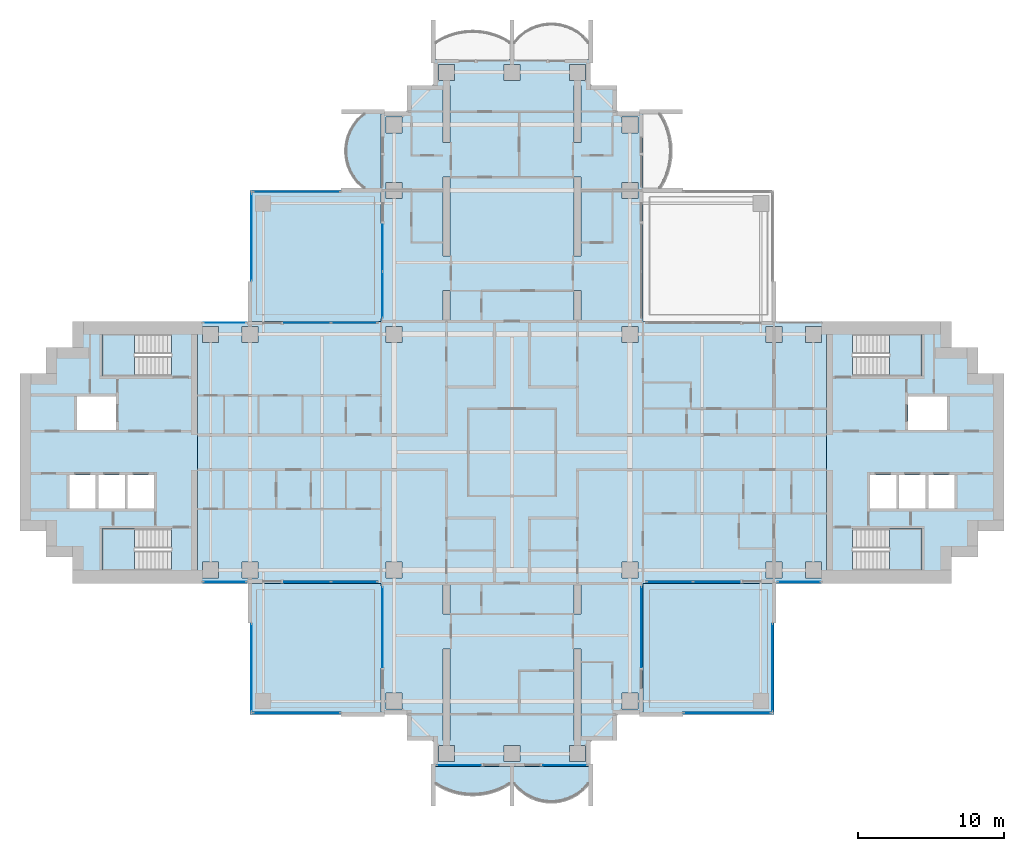
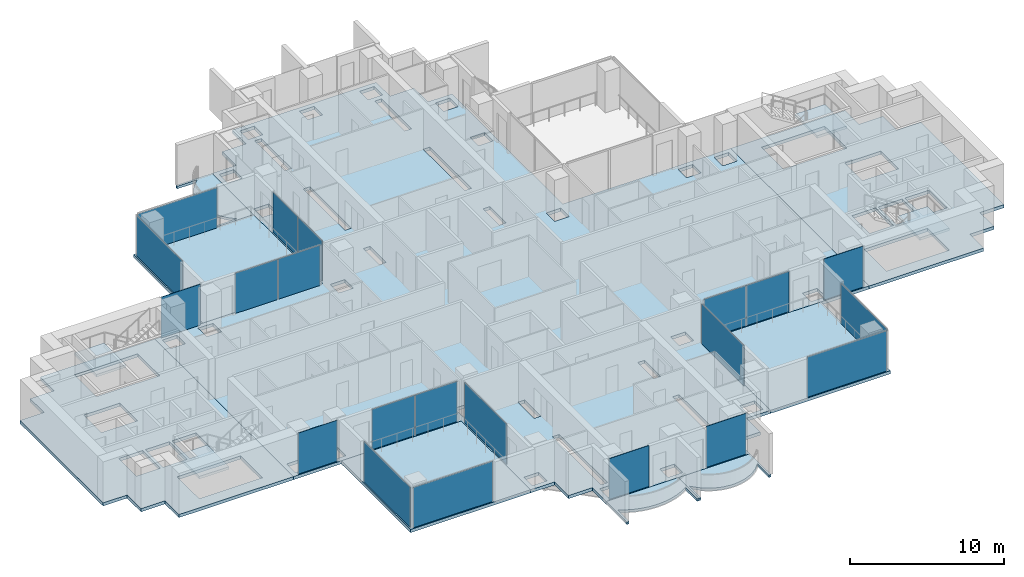
# One storey, part 7 of 19: 21 plates, 13 slabs, 21 elements without a shape of their own.
"""IFC4 building model written with IfcOpenShell, lengths in metres."""

from ifc_helpers import new_model, si_unit, direction, frame, origin, origin_2d, place, context, subcontext, project, spatial, polyline, rectangle, outline, extrude, material, layer, layer_set, type_object, element, aggregate, save


model = new_model("IFC4")

# Units and contexts
model_context = context("Model", 3, precision=1e-05, world=origin(), true_north=direction((0.0, 1.0)))
body_context = subcontext(model_context, "Body", "Model", "MODEL_VIEW")
ifc_project = project(units=[si_unit("LENGTHUNIT", "METRE"), si_unit("AREAUNIT", "SQUARE_METRE"), si_unit("VOLUMEUNIT", "CUBIC_METRE"), si_unit("PLANEANGLEUNIT", "RADIAN"), si_unit("MASSUNIT", "GRAM", prefix="KILO")], contexts=[model_context])

# Site, building, storey
site_placement = place(None, origin())
site = spatial("IfcSite", under=ifc_project, at=site_placement, CompositionType="ELEMENT")
building_placement = place(site_placement, origin())
building = spatial("IfcBuilding", under=site, at=building_placement, Name="Perihelion Cross Residences", CompositionType="ELEMENT")
storey_placement = place(building_placement, frame((0.0, 0.0, 144.39990234375)))
storey = spatial("IfcBuildingStorey", under=building, at=storey_placement, Name="L35", CompositionType="ELEMENT", Elevation=144.39990234375)

# Slabs
ifc_material_1 = material(Name="Concrete C40/50", Category="concrete")
ifc_layer_1 = layer(ifc_material_1, 0.199951171875)
ifc_layer_set_1 = layer_set([ifc_layer_1], Name="Balcony slab 200")
slab_type_1 = type_object("IfcSlabType", Name="Balcony slab 200", PredefinedType="FLOOR", material=ifc_layer_set_1)
slab_1_placement = place(storey_placement, frame((0.0, 0.0, -0.199951171875)))
element("IfcSlab", 1, at=slab_1_placement, inside=storey, type_object=slab_type_1, Name="Slab BK1 L35 north side west bay 1 balcony", PredefinedType="FLOOR", context=body_context, shape_type="SweptSolid", body=[
    extrude(outline(polyline([(-9.0, 23.39990234375), (-9.0, 18.0), (-11.699951171875, 18.0), (-11.699951171875, 18.14990234375), (-10.199951171875, 18.14990234375), (-10.622314453125, 18.542236328125), (-10.924072265625, 18.9345703125), (-11.143310546875, 19.326904296875), (-11.29736328125, 19.71923828125), (-11.39599609375, 20.111572265625), (-11.444091796875, 20.50390625), (-11.444091796875, 20.896240234375), (-11.39599609375, 21.28857421875), (-11.29736328125, 21.6806640625), (-11.143310546875, 22.072998046875), (-10.924072265625, 22.46533203125), (-10.622314453125, 22.857666015625), (-10.199951171875, 23.25), (-11.699951171875, 23.25), (-11.699951171875, 23.39990234375), (-9.0, 23.39990234375)])), origin(), (0.0, 0.0, 1.0), 0.199951171875),
])
slab_2_placement = place(storey_placement, frame((0.0, 0.0, -0.199951171875)))
element("IfcSlab", 2, at=slab_2_placement, inside=storey, type_object=slab_type_1, Name="Slab BK1 L35 south tip south bay 1 balcony", PredefinedType="FLOOR", context=body_context, shape_type="SweptSolid", body=[
    extrude(outline(polyline([(-5.39990234375, -21.60009765625), (0.0, -21.60009765625), (0.0, -24.300048828125), (-0.14990234375, -24.300048828125), (-0.14990234375, -22.800048828125), (-0.659912109375, -23.085205078125), (-1.169921875, -23.294677734375), (-1.679931640625, -23.438232421875), (-2.18994140625, -23.522216796875), (-2.699951171875, -23.550048828125), (-3.2099609375, -23.522216796875), (-3.719970703125, -23.438232421875), (-4.22998046875, -23.294677734375), (-4.739990234375, -23.085205078125), (-5.25, -22.800048828125), (-5.25, -24.300048828125), (-5.39990234375, -24.300048828125), (-5.39990234375, -21.60009765625)])), origin(), (0.0, 0.0, 1.0), 0.199951171875),
])
slab_3_placement = place(storey_placement, frame((0.0, 0.0, -0.199951171875)))
element("IfcSlab", 3, at=slab_3_placement, inside=storey, type_object=slab_type_1, Name="Slab BK1 L35 south tip south bay 2 balcony", PredefinedType="FLOOR", context=body_context, shape_type="SweptSolid", body=[
    extrude(outline(polyline([(0.0, -21.60009765625), (5.39990234375, -21.60009765625), (5.39990234375, -24.300048828125), (5.25, -24.300048828125), (5.25, -22.800048828125), (4.857666015625, -23.22216796875), (4.46533203125, -23.524169921875), (4.072998046875, -23.7431640625), (3.6806640625, -23.897216796875), (3.28857421875, -23.995849609375), (2.896240234375, -24.0439453125), (2.50390625, -24.0439453125), (2.111572265625, -23.995849609375), (1.71923828125, -23.897216796875), (1.326904296875, -23.7431640625), (0.9345703125, -23.524169921875), (0.542236328125, -23.22216796875), (0.14990234375, -22.800048828125), (0.14990234375, -24.300048828125), (0.0, -24.300048828125), (0.0, -21.60009765625)])), origin(), (0.0, 0.0, 1.0), 0.199951171875),
])

# Curtain wall, plates
ifc_material_2 = material(Name="Bronze anodised aluminium, tinted glazing", Category="aluminium")
curtain_wall_type_1 = type_object("IfcCurtainWallType", Name="CW1", PredefinedType="NOTDEFINED", material=ifc_material_2)
curtain_wall_1_placement = place(storey_placement, origin())
curtain_wall_1 = element("IfcCurtainWall", 4, at=curtain_wall_1_placement, inside=storey, type_object=curtain_wall_type_1, Name="Curtain wall CW1 L35 north side west bay 2", PredefinedType="NOTDEFINED")
ifc_material_3 = material(Name="Tinted laminated glass", Category="glass")
ifc_layer_2 = layer(ifc_material_3, 0.028076171875)
ifc_layer_set_2 = layer_set([ifc_layer_2], Name="CW1 panel")
plate_type_1 = type_object("IfcPlateType", Name="CW1 panel", PredefinedType="CURTAIN_PANEL", material=ifc_layer_set_2)
plate_1_placement = place(storey_placement, frame((-8.89990234375, 14.052490234375, 0.000244140625), z_axis=(0.0, 0.0, 1.0), x_axis=(0.0, -1.0, 0.0)))
plate_1 = element("IfcPlate", 5, at=plate_1_placement, type_object=plate_type_1, Name="CW1 panel 1", PredefinedType="CURTAIN_PANEL", context=body_context, shape_type="SweptSolid", body=[
    extrude(rectangle(XDim=3.195068359375, YDim=0.028076171875, at=origin_2d()), origin(), (0.0, 0.0, 1.0), 3.18994140625),
])
plate_2_placement = place(storey_placement, frame((-8.89990234375, 10.827392578125, 0.000244140625), z_axis=(0.0, 0.0, 1.0), x_axis=(0.0, -1.0, 0.0)))
plate_2 = element("IfcPlate", 6, at=plate_2_placement, type_object=plate_type_1, Name="CW1 panel 2", PredefinedType="CURTAIN_PANEL", context=body_context, shape_type="SweptSolid", body=[
    extrude(rectangle(XDim=3.135009765625, YDim=0.028076171875, at=origin_2d()), origin(), (0.0, 0.0, 1.0), 3.18994140625),
])
aggregate(curtain_wall_1, [plate_1, plate_2])

curtain_wall_2_placement = place(storey_placement, origin())
curtain_wall_2 = element("IfcCurtainWall", 7, at=curtain_wall_2_placement, inside=storey, type_object=curtain_wall_type_1, Name="Curtain wall CW1 L35 west side north bay 1", PredefinedType="NOTDEFINED")
plate_3_placement = place(storey_placement, frame((-10.827392578125, 8.89990234375, 0.000244140625), z_axis=(0.0, 0.0, 1.0), x_axis=(-1.0, 0.0, 0.0)))
plate_3 = element("IfcPlate", 8, at=plate_3_placement, type_object=plate_type_1, Name="CW1 panel 1", PredefinedType="CURTAIN_PANEL", context=body_context, shape_type="SweptSolid", body=[
    extrude(rectangle(XDim=3.135009765625, YDim=0.028076171875, at=origin_2d()), origin(), (0.0, 0.0, 1.0), 3.18994140625),
])
plate_4_placement = place(storey_placement, frame((-14.052490234375, 8.89990234375, 0.000244140625), z_axis=(0.0, 0.0, 1.0), x_axis=(-1.0, 0.0, 0.0)))
plate_4 = element("IfcPlate", 9, at=plate_4_placement, type_object=plate_type_1, Name="CW1 panel 2", PredefinedType="CURTAIN_PANEL", context=body_context, shape_type="SweptSolid", body=[
    extrude(rectangle(XDim=3.195068359375, YDim=0.028076171875, at=origin_2d()), origin(), (0.0, 0.0, 1.0), 3.18994140625),
])
aggregate(curtain_wall_2, [plate_3, plate_4])

# Curtain wall, plate
curtain_wall_3_placement = place(storey_placement, origin())
curtain_wall_3 = element("IfcCurtainWall", 10, at=curtain_wall_3_placement, inside=storey, type_object=curtain_wall_type_1, Name="Curtain wall CW1 L35 west side north bay 2", PredefinedType="NOTDEFINED")
plate_5_placement = place(storey_placement, frame((-19.72509765625, 8.89990234375, 0.0), z_axis=(0.0, 0.0, 1.0), x_axis=(-1.0, 0.0, 0.0)))
plate_5 = element("IfcPlate", 11, at=plate_5_placement, type_object=plate_type_1, Name="CW1 panel 1", PredefinedType="CURTAIN_PANEL", context=body_context, shape_type="SweptSolid", body=[
    extrude(rectangle(XDim=2.929931640625, YDim=0.028076171875, at=origin_2d()), origin(), (0.0, 0.0, 1.0), 3.25),
])
aggregate(curtain_wall_3, [plate_5])

curtain_wall_4_placement = place(storey_placement, origin())
curtain_wall_4 = element("IfcCurtainWall", 12, at=curtain_wall_4_placement, inside=storey, type_object=curtain_wall_type_1, Name="Curtain wall CW1 L35 west side south bay 1", PredefinedType="NOTDEFINED")
plate_6_placement = place(storey_placement, frame((-19.72509765625, -8.89990234375, 0.0), z_axis=(0.0, 0.0, 1.0), x_axis=(1.0, 0.0, 0.0)))
plate_6 = element("IfcPlate", 13, at=plate_6_placement, type_object=plate_type_1, Name="CW1 panel 1", PredefinedType="CURTAIN_PANEL", context=body_context, shape_type="SweptSolid", body=[
    extrude(rectangle(XDim=2.929931640625, YDim=0.028076171875, at=origin_2d()), origin(), (0.0, 0.0, 1.0), 3.25),
])
aggregate(curtain_wall_4, [plate_6])

# Curtain wall, plates
curtain_wall_5_placement = place(storey_placement, origin())
curtain_wall_5 = element("IfcCurtainWall", 14, at=curtain_wall_5_placement, inside=storey, type_object=curtain_wall_type_1, Name="Curtain wall CW1 L35 west side south bay 2", PredefinedType="NOTDEFINED")
plate_7_placement = place(storey_placement, frame((-14.052490234375, -8.89990234375, 0.000244140625), z_axis=(0.0, 0.0, 1.0), x_axis=(1.0, 0.0, 0.0)))
plate_7 = element("IfcPlate", 15, at=plate_7_placement, type_object=plate_type_1, Name="CW1 panel 1", PredefinedType="CURTAIN_PANEL", context=body_context, shape_type="SweptSolid", body=[
    extrude(rectangle(XDim=3.195068359375, YDim=0.028076171875, at=origin_2d()), origin(), (0.0, 0.0, 1.0), 3.18994140625),
])
plate_8_placement = place(storey_placement, frame((-10.827392578125, -8.89990234375, 0.000244140625), z_axis=(0.0, 0.0, 1.0), x_axis=(1.0, 0.0, 0.0)))
plate_8 = element("IfcPlate", 16, at=plate_8_placement, type_object=plate_type_1, Name="CW1 panel 2", PredefinedType="CURTAIN_PANEL", context=body_context, shape_type="SweptSolid", body=[
    extrude(rectangle(XDim=3.135009765625, YDim=0.028076171875, at=origin_2d()), origin(), (0.0, 0.0, 1.0), 3.18994140625),
])
aggregate(curtain_wall_5, [plate_7, plate_8])

# Curtain wall, plate
curtain_wall_6_placement = place(storey_placement, origin())
curtain_wall_6 = element("IfcCurtainWall", 17, at=curtain_wall_6_placement, inside=storey, type_object=curtain_wall_type_1, Name="Curtain wall CW1 L35 south side west bay 1", PredefinedType="NOTDEFINED")
plate_9_placement = place(storey_placement, frame((-8.89990234375, -12.0048828125, 0.000244140625), z_axis=(0.0, 0.0, 1.0), x_axis=(0.0, -1.0, 0.0)))
plate_9 = element("IfcPlate", 18, at=plate_9_placement, type_object=plate_type_1, Name="CW1 panel 1", PredefinedType="CURTAIN_PANEL", context=body_context, shape_type="SweptSolid", body=[
    extrude(rectangle(XDim=5.489990234375, YDim=0.028076171875, at=origin_2d()), origin(), (0.0, 0.0, 1.0), 3.18994140625),
])
aggregate(curtain_wall_6, [plate_9])

curtain_wall_7_placement = place(storey_placement, origin())
curtain_wall_7 = element("IfcCurtainWall", 19, at=curtain_wall_7_placement, inside=storey, type_object=curtain_wall_type_1, Name="Curtain wall CW1 L35 south tip south bay 1", PredefinedType="NOTDEFINED")
plate_10_placement = place(storey_placement, frame((-3.64501953125, -21.5, 0.0), z_axis=(0.0, 0.0, 1.0), x_axis=(1.0, 0.0, 0.0)))
plate_10 = element("IfcPlate", 20, at=plate_10_placement, type_object=plate_type_1, Name="CW1 panel 1", PredefinedType="CURTAIN_PANEL", context=body_context, shape_type="SweptSolid", body=[
    extrude(rectangle(XDim=2.989990234375, YDim=0.028076171875, at=origin_2d()), origin(), (0.0, 0.0, 1.0), 3.25),
])
aggregate(curtain_wall_7, [plate_10])

curtain_wall_8_placement = place(storey_placement, origin())
curtain_wall_8 = element("IfcCurtainWall", 21, at=curtain_wall_8_placement, inside=storey, type_object=curtain_wall_type_1, Name="Curtain wall CW1 L35 south tip south bay 2", PredefinedType="NOTDEFINED")
plate_11_placement = place(storey_placement, frame((3.64501953125, -21.5, 0.0), z_axis=(0.0, 0.0, 1.0), x_axis=(1.0, 0.0, 0.0)))
plate_11 = element("IfcPlate", 22, at=plate_11_placement, type_object=plate_type_1, Name="CW1 panel 1", PredefinedType="CURTAIN_PANEL", context=body_context, shape_type="SweptSolid", body=[
    extrude(rectangle(XDim=2.989990234375, YDim=0.028076171875, at=origin_2d()), origin(), (0.0, 0.0, 1.0), 3.25),
])
aggregate(curtain_wall_8, [plate_11])

curtain_wall_9_placement = place(storey_placement, origin())
curtain_wall_9 = element("IfcCurtainWall", 23, at=curtain_wall_9_placement, inside=storey, type_object=curtain_wall_type_1, Name="Curtain wall CW1 L35 south side east bay 1", PredefinedType="NOTDEFINED")
plate_12_placement = place(storey_placement, frame((8.89990234375, -12.0048828125, 0.000244140625), z_axis=(0.0, 0.0, 1.0), x_axis=(0.0, 1.0, 0.0)))
plate_12 = element("IfcPlate", 24, at=plate_12_placement, type_object=plate_type_1, Name="CW1 panel 1", PredefinedType="CURTAIN_PANEL", context=body_context, shape_type="SweptSolid", body=[
    extrude(rectangle(XDim=5.489990234375, YDim=0.028076171875, at=origin_2d()), origin(), (0.0, 0.0, 1.0), 3.18994140625),
])
aggregate(curtain_wall_9, [plate_12])

# Curtain wall, plates
curtain_wall_10_placement = place(storey_placement, origin())
curtain_wall_10 = element("IfcCurtainWall", 25, at=curtain_wall_10_placement, inside=storey, type_object=curtain_wall_type_1, Name="Curtain wall CW1 L35 east side south bay 1", PredefinedType="NOTDEFINED")
plate_13_placement = place(storey_placement, frame((10.827392578125, -8.89990234375, 0.000244140625), z_axis=(0.0, 0.0, 1.0), x_axis=(1.0, 0.0, 0.0)))
plate_13 = element("IfcPlate", 26, at=plate_13_placement, type_object=plate_type_1, Name="CW1 panel 1", PredefinedType="CURTAIN_PANEL", context=body_context, shape_type="SweptSolid", body=[
    extrude(rectangle(XDim=3.135009765625, YDim=0.028076171875, at=origin_2d()), origin(), (0.0, 0.0, 1.0), 3.18994140625),
])
plate_14_placement = place(storey_placement, frame((14.052490234375, -8.89990234375, 0.000244140625), z_axis=(0.0, 0.0, 1.0), x_axis=(1.0, 0.0, 0.0)))
plate_14 = element("IfcPlate", 27, at=plate_14_placement, type_object=plate_type_1, Name="CW1 panel 2", PredefinedType="CURTAIN_PANEL", context=body_context, shape_type="SweptSolid", body=[
    extrude(rectangle(XDim=3.195068359375, YDim=0.028076171875, at=origin_2d()), origin(), (0.0, 0.0, 1.0), 3.18994140625),
])
aggregate(curtain_wall_10, [plate_13, plate_14])

# Curtain wall, plate
curtain_wall_11_placement = place(storey_placement, origin())
curtain_wall_11 = element("IfcCurtainWall", 28, at=curtain_wall_11_placement, inside=storey, type_object=curtain_wall_type_1, Name="Curtain wall CW1 L35 east side south bay 2", PredefinedType="NOTDEFINED")
plate_15_placement = place(storey_placement, frame((19.72509765625, -8.89990234375, 0.0), z_axis=(0.0, 0.0, 1.0), x_axis=(1.0, 0.0, 0.0)))
plate_15 = element("IfcPlate", 29, at=plate_15_placement, type_object=plate_type_1, Name="CW1 panel 1", PredefinedType="CURTAIN_PANEL", context=body_context, shape_type="SweptSolid", body=[
    extrude(rectangle(XDim=2.929931640625, YDim=0.028076171875, at=origin_2d()), origin(), (0.0, 0.0, 1.0), 3.25),
])
aggregate(curtain_wall_11, [plate_15])

ifc_material_4 = material(Name="Bronze anodised aluminium, tinted glazing", Category="aluminium")
curtain_wall_type_2 = type_object("IfcCurtainWallType", Name="CW4", PredefinedType="NOTDEFINED", material=ifc_material_4)
curtain_wall_12_placement = place(storey_placement, origin())
curtain_wall_12 = element("IfcCurtainWall", 30, at=curtain_wall_12_placement, inside=storey, type_object=curtain_wall_type_2, Name="Curtain wall CW4 L35 pocket north-west 1 1", PredefinedType="NOTDEFINED")
ifc_material_5 = material(Name="Tinted laminated glass", Category="glass")
ifc_layer_3 = layer(ifc_material_5, 0.030029296875)
ifc_layer_set_3 = layer_set([ifc_layer_3], Name="CW4 panel")
plate_type_2 = type_object("IfcPlateType", Name="CW4 panel", PredefinedType="CURTAIN_PANEL", material=ifc_layer_set_3)
plate_16_placement = place(storey_placement, frame((-17.89990234375, 14.784912109375, 0.000244140625), z_axis=(0.0, 0.0, 1.0), x_axis=(0.0, 1.0, 0.0)))
plate_16 = element("IfcPlate", 31, at=plate_16_placement, type_object=plate_type_2, Name="CW4 panel 1", PredefinedType="CURTAIN_PANEL", context=body_context, shape_type="SweptSolid", body=[
    extrude(rectangle(XDim=5.969970703125, YDim=0.030029296875, at=origin_2d()), origin(), (0.0, 0.0, 1.0), 3.18994140625),
])
aggregate(curtain_wall_12, [plate_16])

curtain_wall_13_placement = place(storey_placement, origin())
curtain_wall_13 = element("IfcCurtainWall", 32, at=curtain_wall_13_placement, inside=storey, type_object=curtain_wall_type_2, Name="Curtain wall CW4 L35 pocket north-west 1 2", PredefinedType="NOTDEFINED")
plate_17_placement = place(storey_placement, frame((-14.784912109375, 17.89990234375, 0.000244140625), z_axis=(0.0, 0.0, 1.0), x_axis=(1.0, 0.0, 0.0)))
plate_17 = element("IfcPlate", 33, at=plate_17_placement, type_object=plate_type_2, Name="CW4 panel 1", PredefinedType="CURTAIN_PANEL", context=body_context, shape_type="SweptSolid", body=[
    extrude(rectangle(XDim=5.969970703125, YDim=0.030029296875, at=origin_2d()), origin(), (0.0, 0.0, 1.0), 3.18994140625),
])
aggregate(curtain_wall_13, [plate_17])

curtain_wall_14_placement = place(storey_placement, origin())
curtain_wall_14 = element("IfcCurtainWall", 34, at=curtain_wall_14_placement, inside=storey, type_object=curtain_wall_type_2, Name="Curtain wall CW4 L35 pocket south-east 1 1", PredefinedType="NOTDEFINED")
plate_18_placement = place(storey_placement, frame((17.89990234375, -14.784912109375, 0.000244140625), z_axis=(0.0, 0.0, 1.0), x_axis=(0.0, -1.0, 0.0)))
plate_18 = element("IfcPlate", 35, at=plate_18_placement, type_object=plate_type_2, Name="CW4 panel 1", PredefinedType="CURTAIN_PANEL", context=body_context, shape_type="SweptSolid", body=[
    extrude(rectangle(XDim=5.969970703125, YDim=0.030029296875, at=origin_2d()), origin(), (0.0, 0.0, 1.0), 3.18994140625),
])
aggregate(curtain_wall_14, [plate_18])

curtain_wall_15_placement = place(storey_placement, origin())
curtain_wall_15 = element("IfcCurtainWall", 36, at=curtain_wall_15_placement, inside=storey, type_object=curtain_wall_type_2, Name="Curtain wall CW4 L35 pocket south-east 1 2", PredefinedType="NOTDEFINED")
plate_19_placement = place(storey_placement, frame((14.784912109375, -17.89990234375, 0.000244140625), z_axis=(0.0, 0.0, 1.0), x_axis=(-1.0, 0.0, 0.0)))
plate_19 = element("IfcPlate", 37, at=plate_19_placement, type_object=plate_type_2, Name="CW4 panel 1", PredefinedType="CURTAIN_PANEL", context=body_context, shape_type="SweptSolid", body=[
    extrude(rectangle(XDim=5.969970703125, YDim=0.030029296875, at=origin_2d()), origin(), (0.0, 0.0, 1.0), 3.18994140625),
])
aggregate(curtain_wall_15, [plate_19])

curtain_wall_16_placement = place(storey_placement, origin())
curtain_wall_16 = element("IfcCurtainWall", 38, at=curtain_wall_16_placement, inside=storey, type_object=curtain_wall_type_2, Name="Curtain wall CW4 L35 pocket south-west 1 1", PredefinedType="NOTDEFINED")
plate_20_placement = place(storey_placement, frame((-14.784912109375, -17.89990234375, 0.000244140625), z_axis=(0.0, 0.0, 1.0), x_axis=(-1.0, 0.0, 0.0)))
plate_20 = element("IfcPlate", 39, at=plate_20_placement, type_object=plate_type_2, Name="CW4 panel 1", PredefinedType="CURTAIN_PANEL", context=body_context, shape_type="SweptSolid", body=[
    extrude(rectangle(XDim=5.969970703125, YDim=0.030029296875, at=origin_2d()), origin(), (0.0, 0.0, 1.0), 3.18994140625),
])
aggregate(curtain_wall_16, [plate_20])

curtain_wall_17_placement = place(storey_placement, origin())
curtain_wall_17 = element("IfcCurtainWall", 40, at=curtain_wall_17_placement, inside=storey, type_object=curtain_wall_type_2, Name="Curtain wall CW4 L35 pocket south-west 1 2", PredefinedType="NOTDEFINED")
plate_21_placement = place(storey_placement, frame((-17.89990234375, -14.784912109375, 0.000244140625), z_axis=(0.0, 0.0, 1.0), x_axis=(0.0, 1.0, 0.0)))
plate_21 = element("IfcPlate", 41, at=plate_21_placement, type_object=plate_type_2, Name="CW4 panel 1", PredefinedType="CURTAIN_PANEL", context=body_context, shape_type="SweptSolid", body=[
    extrude(rectangle(XDim=5.969970703125, YDim=0.030029296875, at=origin_2d()), origin(), (0.0, 0.0, 1.0), 3.18994140625),
])
aggregate(curtain_wall_17, [plate_21])

# Slabs
ifc_material_6 = material(Name="Concrete C40/50", Category="concrete")
ifc_layer_4 = layer(ifc_material_6, 0.25)
ifc_layer_set_4 = layer_set([ifc_layer_4], Name="Core floor slab 250")
slab_type_2 = type_object("IfcSlabType", Name="Core floor slab 250", PredefinedType="FLOOR", material=ifc_layer_set_4)
slab_4_placement = place(storey_placement, frame((0.0, 0.0, -0.25)))
element("IfcSlab", 42, at=slab_4_placement, inside=storey, type_object=slab_type_2, Name="East core floor slab", PredefinedType="FLOOR", context=body_context, shape_type="SweptSolid", body=[
    extrude(outline(polyline([(30.199951171875, 7.199951171875), (32.0, 7.199951171875), (32.0, 5.39990234375), (33.800048828125, 5.39990234375), (33.800048828125, -5.39990234375), (32.0, -5.39990234375), (32.0, -7.199951171875), (30.199951171875, -7.199951171875), (30.199951171875, -9.0), (21.60009765625, -9.0), (21.60009765625, 9.0), (30.199951171875, 9.0), (30.199951171875, 7.199951171875)]), holes=[polyline([(28.14990234375, -8.10009765625), (28.14990234375, -5.25), (23.405029296875, -5.25), (23.405029296875, -8.10009765625), (28.14990234375, -8.10009765625)]), polyline([(24.60009765625, -1.550048828125), (24.60009765625, -3.85009765625), (26.39990234375, -3.85009765625), (26.39990234375, -1.550048828125), (24.60009765625, -1.550048828125)]), polyline([(26.60009765625, -1.550048828125), (26.60009765625, -3.85009765625), (28.39990234375, -3.85009765625), (28.39990234375, -1.550048828125), (26.60009765625, -1.550048828125)]), polyline([(28.60009765625, -3.85009765625), (30.39990234375, -3.85009765625), (30.39990234375, -1.550048828125), (28.60009765625, -1.550048828125), (28.60009765625, -3.85009765625)]), polyline([(27.199951171875, 3.85009765625), (27.199951171875, 1.550048828125), (29.89990234375, 1.550048828125), (29.89990234375, 3.85009765625), (27.199951171875, 3.85009765625)]), polyline([(23.405029296875, 5.25), (28.14990234375, 5.25), (28.14990234375, 8.10009765625), (23.405029296875, 8.10009765625), (23.405029296875, 5.25)])]), origin(), (0.0, 0.0, 1.0), 0.25),
])
slab_5_placement = place(storey_placement, frame((0.0, 0.0, -0.25)))
element("IfcSlab", 43, at=slab_5_placement, inside=storey, type_object=slab_type_2, Name="West core floor slab", PredefinedType="FLOOR", context=body_context, shape_type="SweptSolid", body=[
    extrude(outline(polyline([(-30.199951171875, 7.199951171875), (-32.0, 7.199951171875), (-32.0, 5.39990234375), (-33.800048828125, 5.39990234375), (-33.800048828125, -5.39990234375), (-32.0, -5.39990234375), (-32.0, -7.199951171875), (-30.199951171875, -7.199951171875), (-30.199951171875, -9.0), (-21.60009765625, -9.0), (-21.60009765625, 9.0), (-30.199951171875, 9.0), (-30.199951171875, 7.199951171875)]), holes=[polyline([(-28.14990234375, -8.10009765625), (-28.14990234375, -5.25), (-23.405029296875, -5.25), (-23.405029296875, -8.10009765625), (-28.14990234375, -8.10009765625)]), polyline([(-24.60009765625, -1.550048828125), (-24.60009765625, -3.85009765625), (-26.39990234375, -3.85009765625), (-26.39990234375, -1.550048828125), (-24.60009765625, -1.550048828125)]), polyline([(-26.60009765625, -1.550048828125), (-26.60009765625, -3.85009765625), (-28.39990234375, -3.85009765625), (-28.39990234375, -1.550048828125), (-26.60009765625, -1.550048828125)]), polyline([(-28.60009765625, -3.85009765625), (-30.39990234375, -3.85009765625), (-30.39990234375, -1.550048828125), (-28.60009765625, -1.550048828125), (-28.60009765625, -3.85009765625)]), polyline([(-27.199951171875, 3.85009765625), (-27.199951171875, 1.550048828125), (-29.89990234375, 1.550048828125), (-29.89990234375, 3.85009765625), (-27.199951171875, 3.85009765625)]), polyline([(-23.405029296875, 5.25), (-28.14990234375, 5.25), (-28.14990234375, 8.10009765625), (-23.405029296875, 8.10009765625), (-23.405029296875, 5.25)])]), origin(), (0.0, 0.0, 1.0), 0.25),
])

# Stair, slab
ifc_material_7 = material(Name="Concrete C40/50", Category="concrete")
stair_type = type_object("IfcStairType", Name="Exit stair, half-turn", PredefinedType="HALF_TURN_STAIR", material=ifc_material_7)
stair_1_placement = place(storey_placement, origin())
stair_1 = element("IfcStair", 44, at=stair_1_placement, inside=storey, type_object=stair_type, Name="L35 East core exit stair 1", PredefinedType="HALF_TURN_STAIR")
ifc_material_8 = material(Name="Concrete C40/50", Category="concrete")
ifc_layer_5 = layer(ifc_material_8, 0.199951171875)
ifc_layer_set_5 = layer_set([ifc_layer_5], Name="Exit stair landing 200")
slab_type_3 = type_object("IfcSlabType", Name="Exit stair landing 200", PredefinedType="LANDING", material=ifc_layer_set_5)
slab_6_placement = place(storey_placement, frame((0.0, 0.0, 1.550048828125)))
slab_6 = element("IfcSlab", 45, at=slab_6_placement, type_object=slab_type_3, Name="ST-E1 landing 1", PredefinedType="LANDING", context=body_context, shape_type="SweptSolid", body=[
    extrude(outline(polyline([(25.919921875, 5.25), (28.14990234375, 5.25), (28.14990234375, 8.10009765625), (25.919921875, 8.10009765625), (25.919921875, 5.25)])), origin(), (0.0, 0.0, 1.0), 0.199951171875),
])
aggregate(stair_1, [slab_6])

stair_2_placement = place(storey_placement, origin())
stair_2 = element("IfcStair", 46, at=stair_2_placement, inside=storey, type_object=stair_type, Name="L35 East core exit stair 2", PredefinedType="HALF_TURN_STAIR")
slab_7_placement = place(storey_placement, frame((0.0, 0.0, 1.550048828125)))
slab_7 = element("IfcSlab", 47, at=slab_7_placement, type_object=slab_type_3, Name="ST-E2 landing 1", PredefinedType="LANDING", context=body_context, shape_type="SweptSolid", body=[
    extrude(outline(polyline([(25.919921875, -8.10009765625), (28.14990234375, -8.10009765625), (28.14990234375, -5.25), (25.919921875, -5.25), (25.919921875, -8.10009765625)])), origin(), (0.0, 0.0, 1.0), 0.199951171875),
])
aggregate(stair_2, [slab_7])

stair_3_placement = place(storey_placement, origin())
stair_3 = element("IfcStair", 48, at=stair_3_placement, inside=storey, type_object=stair_type, Name="L35 West core exit stair 1", PredefinedType="HALF_TURN_STAIR")
slab_8_placement = place(storey_placement, frame((0.0, 0.0, 1.550048828125)))
slab_8 = element("IfcSlab", 49, at=slab_8_placement, type_object=slab_type_3, Name="ST-W1 landing 1", PredefinedType="LANDING", context=body_context, shape_type="SweptSolid", body=[
    extrude(outline(polyline([(-25.919921875, 8.10009765625), (-28.14990234375, 8.10009765625), (-28.14990234375, 5.25), (-25.919921875, 5.25), (-25.919921875, 8.10009765625)])), origin(), (0.0, 0.0, 1.0), 0.199951171875),
])
aggregate(stair_3, [slab_8])

stair_4_placement = place(storey_placement, origin())
stair_4 = element("IfcStair", 50, at=stair_4_placement, inside=storey, type_object=stair_type, Name="L35 West core exit stair 2", PredefinedType="HALF_TURN_STAIR")
slab_9_placement = place(storey_placement, frame((0.0, 0.0, 1.550048828125)))
slab_9 = element("IfcSlab", 51, at=slab_9_placement, type_object=slab_type_3, Name="ST-W2 landing 1", PredefinedType="LANDING", context=body_context, shape_type="SweptSolid", body=[
    extrude(outline(polyline([(-25.919921875, -5.25), (-28.14990234375, -5.25), (-28.14990234375, -8.10009765625), (-25.919921875, -8.10009765625), (-25.919921875, -5.25)])), origin(), (0.0, 0.0, 1.0), 0.199951171875),
])
aggregate(stair_4, [slab_9])

# Slabs
ifc_material_9 = material(Name="Concrete C50/60", Category="concrete")
ifc_layer_6 = layer(ifc_material_9, 0.25)
ifc_layer_set_6 = layer_set([ifc_layer_6], Name="Residential floor post-tensioned slab concrete C50/60")
slab_type_4 = type_object("IfcSlabType", Name="Residential floor post-tensioned slab concrete C50/60", PredefinedType="FLOOR", material=ifc_layer_set_6)
slab_10_placement = place(storey_placement, frame((0.0, 0.0, -0.25)))
element("IfcSlab", 52, at=slab_10_placement, inside=storey, type_object=slab_type_4, Name="Slab SL8 L35 1 no. 1", PredefinedType="FLOOR", context=body_context, shape_type="SweptSolid", body=[
    extrude(outline(polyline([(-9.0, 9.0), (-9.0, 23.39990234375), (-7.199951171875, 23.39990234375), (-7.199951171875, 25.199951171875), (-5.39990234375, 25.199951171875), (-5.39990234375, 27.0), (5.39990234375, 27.0), (5.39990234375, 25.199951171875), (7.199951171875, 25.199951171875), (7.199951171875, 23.39990234375), (9.0, 23.39990234375), (9.0, 9.0), (21.60009765625, 9.0), (21.60009765625, -9.0), (9.0, -9.0), (9.0, -18.0), (7.199951171875, -18.0), (7.199951171875, -19.800048828125), (5.39990234375, -19.800048828125), (5.39990234375, -21.60009765625), (-5.39990234375, -21.60009765625), (-5.39990234375, -19.800048828125), (-7.199951171875, -19.800048828125), (-7.199951171875, -18.0), (-9.0, -18.0), (-9.0, -9.0), (-21.60009765625, -9.0), (-21.60009765625, 9.0), (-9.0, 9.0)]), holes=[polyline([(0.550048828125, -21.25), (0.550048828125, -20.14990234375), (-0.550048828125, -20.14990234375), (-0.550048828125, -21.25), (0.550048828125, -21.25)]), polyline([(-3.949951171875, -21.25), (-3.949951171875, -20.14990234375), (-5.050048828125, -20.14990234375), (-5.050048828125, -21.25), (-3.949951171875, -21.25)]), polyline([(-7.550048828125, -17.64990234375), (-7.550048828125, -16.550048828125), (-8.64990234375, -16.550048828125), (-8.64990234375, -17.64990234375), (-7.550048828125, -17.64990234375)]), polyline([(-4.25, -19.800048828125), (-4.25, -13.5), (-4.75, -13.5), (-4.75, -19.800048828125), (-4.25, -19.800048828125)]), polyline([(-4.25, -11.10009765625), (-4.25, -9.0), (-4.75, -9.0), (-4.75, -11.10009765625), (-4.25, -11.10009765625)]), polyline([(-20.14990234375, -8.64990234375), (-20.14990234375, -7.550048828125), (-21.25, -7.550048828125), (-21.25, -8.64990234375), (-20.14990234375, -8.64990234375)]), polyline([(-7.550048828125, -8.64990234375), (-7.550048828125, -7.550048828125), (-8.64990234375, -7.550048828125), (-8.64990234375, -8.64990234375), (-7.550048828125, -8.64990234375)]), polyline([(-18.550048828125, -8.64990234375), (-17.449951171875, -8.64990234375), (-17.449951171875, -7.550048828125), (-18.550048828125, -7.550048828125), (-18.550048828125, -8.64990234375)]), polyline([(-7.550048828125, 7.550048828125), (-7.550048828125, 8.64990234375), (-8.64990234375, 8.64990234375), (-8.64990234375, 7.550048828125), (-7.550048828125, 7.550048828125)]), polyline([(-17.449951171875, 7.550048828125), (-17.449951171875, 8.64990234375), (-18.550048828125, 8.64990234375), (-18.550048828125, 7.550048828125), (-17.449951171875, 7.550048828125)]), polyline([(-20.14990234375, 7.550048828125), (-20.14990234375, 8.64990234375), (-21.25, 8.64990234375), (-21.25, 7.550048828125), (-20.14990234375, 7.550048828125)]), polyline([(-4.25, 9.0), (-4.25, 11.10009765625), (-4.75, 11.10009765625), (-4.75, 9.0), (-4.25, 9.0)]), polyline([(-4.25, 13.5), (-4.25, 18.89990234375), (-4.75, 18.89990234375), (-4.75, 13.5), (-4.25, 13.5)]), polyline([(-7.550048828125, 17.449951171875), (-7.550048828125, 18.550048828125), (-8.64990234375, 18.550048828125), (-8.64990234375, 17.449951171875), (-7.550048828125, 17.449951171875)]), polyline([(-7.550048828125, 21.949951171875), (-7.550048828125, 23.050048828125), (-8.64990234375, 23.050048828125), (-8.64990234375, 21.949951171875), (-7.550048828125, 21.949951171875)]), polyline([(-4.75, 21.300048828125), (-4.25, 21.300048828125), (-4.25, 25.199951171875), (-4.75, 25.199951171875), (-4.75, 21.300048828125)]), polyline([(-5.050048828125, 25.550048828125), (-3.949951171875, 25.550048828125), (-3.949951171875, 26.64990234375), (-5.050048828125, 26.64990234375), (-5.050048828125, 25.550048828125)]), polyline([(5.050048828125, -21.25), (5.050048828125, -20.14990234375), (3.949951171875, -20.14990234375), (3.949951171875, -21.25), (5.050048828125, -21.25)]), polyline([(8.64990234375, -17.64990234375), (8.64990234375, -16.550048828125), (7.550048828125, -16.550048828125), (7.550048828125, -17.64990234375), (8.64990234375, -17.64990234375)]), polyline([(4.75, -19.800048828125), (4.75, -13.5), (4.25, -13.5), (4.25, -19.800048828125), (4.75, -19.800048828125)]), polyline([(4.75, -11.10009765625), (4.75, -9.0), (4.25, -9.0), (4.25, -11.10009765625), (4.75, -11.10009765625)]), polyline([(21.25, -8.64990234375), (21.25, -7.550048828125), (20.14990234375, -7.550048828125), (20.14990234375, -8.64990234375), (21.25, -8.64990234375)]), polyline([(18.550048828125, -8.64990234375), (18.550048828125, -7.550048828125), (17.449951171875, -7.550048828125), (17.449951171875, -8.64990234375), (18.550048828125, -8.64990234375)]), polyline([(8.64990234375, -8.64990234375), (8.64990234375, -7.550048828125), (7.550048828125, -7.550048828125), (7.550048828125, -8.64990234375), (8.64990234375, -8.64990234375)]), polyline([(7.550048828125, 7.550048828125), (8.64990234375, 7.550048828125), (8.64990234375, 8.64990234375), (7.550048828125, 8.64990234375), (7.550048828125, 7.550048828125)]), polyline([(18.550048828125, 7.550048828125), (18.550048828125, 8.64990234375), (17.449951171875, 8.64990234375), (17.449951171875, 7.550048828125), (18.550048828125, 7.550048828125)]), polyline([(21.25, 7.550048828125), (21.25, 8.64990234375), (20.14990234375, 8.64990234375), (20.14990234375, 7.550048828125), (21.25, 7.550048828125)]), polyline([(4.75, 9.0), (4.75, 11.10009765625), (4.25, 11.10009765625), (4.25, 9.0), (4.75, 9.0)]), polyline([(4.75, 13.5), (4.75, 18.89990234375), (4.25, 18.89990234375), (4.25, 13.5), (4.75, 13.5)]), polyline([(8.64990234375, 17.449951171875), (8.64990234375, 18.550048828125), (7.550048828125, 18.550048828125), (7.550048828125, 17.449951171875), (8.64990234375, 17.449951171875)]), polyline([(8.64990234375, 21.949951171875), (8.64990234375, 23.050048828125), (7.550048828125, 23.050048828125), (7.550048828125, 21.949951171875), (8.64990234375, 21.949951171875)]), polyline([(4.75, 21.300048828125), (4.75, 25.199951171875), (4.25, 25.199951171875), (4.25, 21.300048828125), (4.75, 21.300048828125)]), polyline([(3.949951171875, 25.550048828125), (5.050048828125, 25.550048828125), (5.050048828125, 26.64990234375), (3.949951171875, 26.64990234375), (3.949951171875, 25.550048828125)]), polyline([(-0.550048828125, 25.550048828125), (0.550048828125, 25.550048828125), (0.550048828125, 26.64990234375), (-0.550048828125, 26.64990234375), (-0.550048828125, 25.550048828125)])]), origin(), (0.0, 0.0, 1.0), 0.25),
])
ifc_material_10 = material(Name="Concrete C40/50", Category="concrete")
ifc_layer_7 = layer(ifc_material_10, 0.25)
ifc_layer_set_7 = layer_set([ifc_layer_7], Name="Winter garden slab")
slab_type_5 = type_object("IfcSlabType", Name="Winter garden slab", PredefinedType="FLOOR", material=ifc_layer_set_7)
slab_11_placement = place(storey_placement, frame((0.0, 0.0, -0.25)))
element("IfcSlab", 53, at=slab_11_placement, inside=storey, type_object=slab_type_5, Name="Slab BK3 L35 pocket north-west", PredefinedType="FLOOR", context=body_context, shape_type="SweptSolid", body=[
    extrude(outline(polyline([(-9.0, 9.0), (-9.0, 18.0), (-18.0, 18.0), (-18.0, 9.0), (-9.0, 9.0)])), origin(), (0.0, 0.0, 1.0), 0.25),
])
slab_12_placement = place(storey_placement, frame((0.0, 0.0, -0.25)))
element("IfcSlab", 54, at=slab_12_placement, inside=storey, type_object=slab_type_5, Name="Slab BK3 L35 pocket south-west", PredefinedType="FLOOR", context=body_context, shape_type="SweptSolid", body=[
    extrude(outline(polyline([(-9.0, -18.0), (-9.0, -9.0), (-18.0, -9.0), (-18.0, -18.0), (-9.0, -18.0)])), origin(), (0.0, 0.0, 1.0), 0.25),
])
slab_13_placement = place(storey_placement, frame((0.0, 0.0, -0.25)))
element("IfcSlab", 55, at=slab_13_placement, inside=storey, type_object=slab_type_5, Name="Slab BK3 L35 pocket south-east", PredefinedType="FLOOR", context=body_context, shape_type="SweptSolid", body=[
    extrude(outline(polyline([(18.0, -18.0), (18.0, -9.0), (9.0, -9.0), (9.0, -18.0), (18.0, -18.0)])), origin(), (0.0, 0.0, 1.0), 0.25),
])

save(model, "model.ifc")
